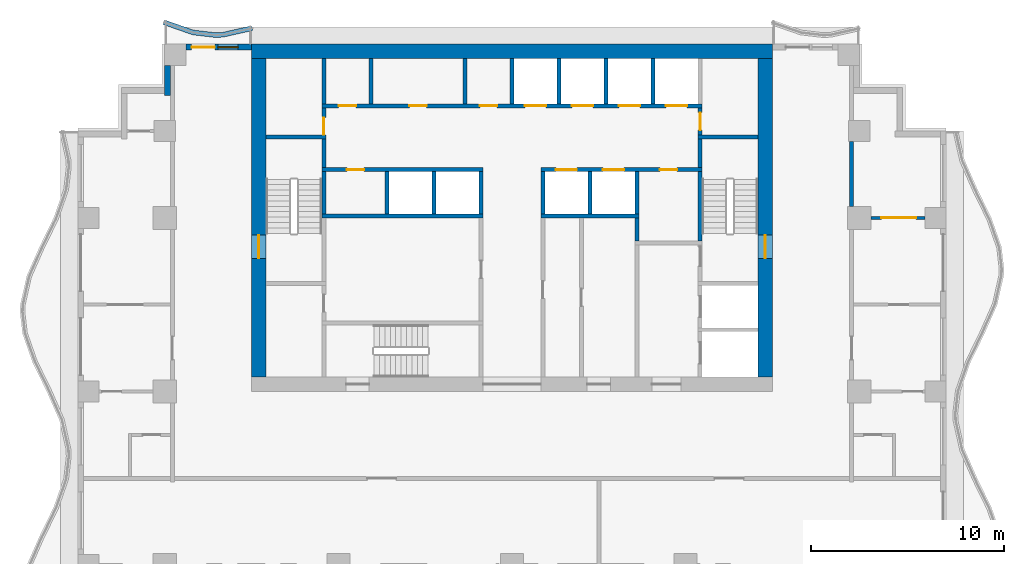
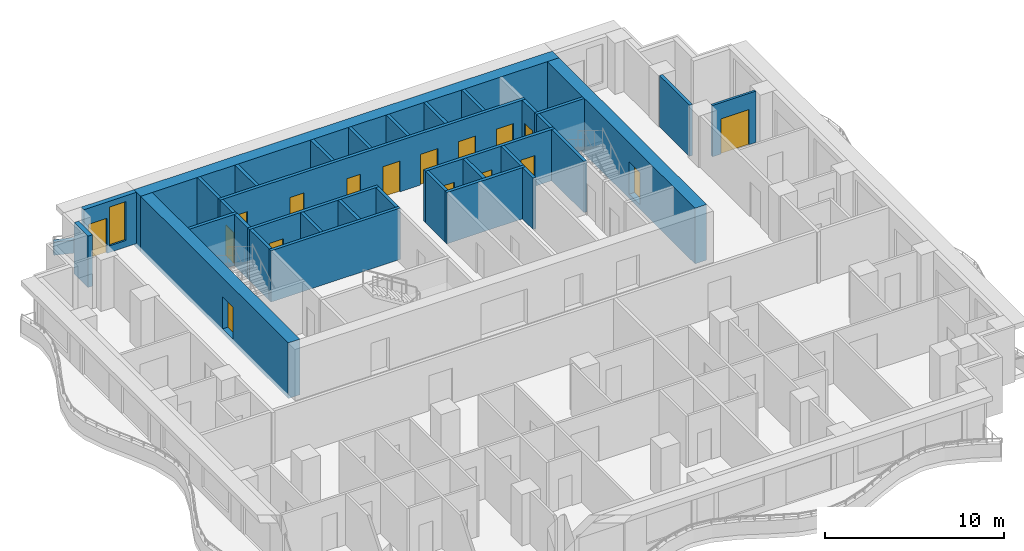
# One storey, part 5 of 10: 35 walls, 17 doors, 1 window, 18 openings.
"""IFC4 building model written with IfcOpenShell, lengths in metres."""

from ifc_helpers import new_model, si_unit, direction, frame, frame_2d, origin, place, context, subcontext, project, spatial, polyline, rectangle, outline, extrude, material, layer, layer_set, type_object, element, fill, save


model = new_model("IFC4")

# Units and contexts
model_context = context("Model", 3, precision=1e-05, world=origin(), true_north=direction((0.0, 1.0)))
body_context = subcontext(model_context, "Body", "Model", "MODEL_VIEW")
ifc_project = project(units=[si_unit("LENGTHUNIT", "METRE"), si_unit("AREAUNIT", "SQUARE_METRE"), si_unit("VOLUMEUNIT", "CUBIC_METRE"), si_unit("PLANEANGLEUNIT", "RADIAN"), si_unit("MASSUNIT", "GRAM", prefix="KILO")], contexts=[model_context])

# Site, building, storey
site_placement = place(None, origin())
site = spatial("IfcSite", under=ifc_project, at=site_placement, CompositionType="ELEMENT")
building_placement = place(site_placement, origin())
building = spatial("IfcBuilding", under=site, at=building_placement, Name="Orbiselva Terraces", CompositionType="ELEMENT")
storey_placement = place(building_placement, frame((0.0, 0.0, 163.0)))
storey = spatial("IfcBuildingStorey", under=building, at=storey_placement, Name="L41", CompositionType="ELEMENT", Elevation=163.0)

# Wall, opening, door
ifc_material_1 = material(Name="Concrete C80/95", Category="concrete")
ifc_layer_1 = layer(ifc_material_1, 0.75)
ifc_layer_set_1 = layer_set([ifc_layer_1], Name="Concrete C80/95")
wall_type_1 = type_object("IfcWallType", Name="CORE WALL 750", PredefinedType="SHEAR", material=ifc_layer_set_1)
wall_1_placement = place(storey_placement, frame((13.125, 5.25, -0.3), z_axis=(0.0, 0.0, 1.0), x_axis=(0.0, 1.0, 0.0)))
wall_1 = element("IfcWall", 1, at=wall_1_placement, inside=storey, type_object=wall_type_1, Name="Core wall L41 east", PredefinedType="SHEAR", context=body_context, shape_type="SweptSolid", body=[
    extrude(rectangle(XDim=16.5, YDim=0.75, at=frame_2d((8.25, 0.0))), origin(), (0.0, 0.0, 1.0), 3.8),
])
opening_1_placement = place(wall_1_placement, frame((6.15, 0.0, 0.3)))
opening_1 = element("IfcOpeningElement", 2, at=opening_1_placement, cuts=wall_1, Name="Opening DS1200", PredefinedType="OPENING", context=body_context, shape_type="SweptSolid", body=[
    extrude(rectangle(XDim=1.2, YDim=2.2, at=frame_2d((0.6, 1.1))), frame((0.0, 0.385, 0.0), z_axis=(0.0, -1.0, 0.0), x_axis=(1.0, 0.0, 0.0)), (0.0, 0.0, 1.0), 0.77),
])
ifc_material_2 = material(Name="Steel fire door", Category="steel")
door_type_1 = type_object("IfcDoorType", Name="STAIR DOOR 1200", OperationType="NOTDEFINED", PredefinedType="DOOR", material=ifc_material_2)
door_1_placement = place(opening_1_placement, frame((1.2, 0.0, 0.0), z_axis=(0.0, 0.0, 1.0), x_axis=(-1.0, 0.0, 0.0)))
door_1 = element("IfcDoor", 3, at=door_1_placement, inside=storey, type_object=door_type_1, Name="L41 EXIT STAIR S2 door", OperationType="SINGLE_SWING_LEFT", OverallHeight=2.2, OverallWidth=1.2, PredefinedType="DOOR", context=body_context, shape_type="SweptSolid", body=[
    extrude(rectangle(XDim=1.2, YDim=2.2, at=frame_2d((0.6, 1.1))), frame((0.0, 0.025, 0.0), z_axis=(0.0, -1.0, 0.0), x_axis=(1.0, 0.0, 0.0)), (0.0, 0.0, 1.0), 0.05),
])
fill(opening_1, door_1)

wall_2_placement = place(storey_placement, frame((-13.125, 21.75, -0.3), z_axis=(0.0, 0.0, 1.0), x_axis=(0.0, -1.0, 0.0)))
wall_2 = element("IfcWall", 4, at=wall_2_placement, inside=storey, type_object=wall_type_1, Name="Core wall L41 west", PredefinedType="SHEAR", context=body_context, shape_type="SweptSolid", body=[
    extrude(rectangle(XDim=16.5, YDim=0.75, at=frame_2d((8.25, 0.0))), origin(), (0.0, 0.0, 1.0), 3.8),
])
opening_2_placement = place(wall_2_placement, frame((9.15, 0.0, 0.3)))
opening_2 = element("IfcOpeningElement", 5, at=opening_2_placement, cuts=wall_2, Name="Opening DS1200", PredefinedType="OPENING", context=body_context, shape_type="SweptSolid", body=[
    extrude(rectangle(XDim=1.2, YDim=2.2, at=frame_2d((0.6, 1.1))), frame((0.0, 0.385, 0.0), z_axis=(0.0, -1.0, 0.0), x_axis=(1.0, 0.0, 0.0)), (0.0, 0.0, 1.0), 0.77),
])
door_2_placement = place(opening_2_placement, frame((1.2, 0.0, 0.0), z_axis=(0.0, 0.0, 1.0), x_axis=(-1.0, 0.0, 0.0)))
door_2 = element("IfcDoor", 6, at=door_2_placement, inside=storey, type_object=door_type_1, Name="L41 EXIT STAIR S1 door", OperationType="SINGLE_SWING_RIGHT", OverallHeight=2.2, OverallWidth=1.2, PredefinedType="DOOR", context=body_context, shape_type="SweptSolid", body=[
    extrude(rectangle(XDim=1.2, YDim=2.2, at=frame_2d((0.6, 1.1))), frame((0.0, 0.025, 0.0), z_axis=(0.0, -1.0, 0.0), x_axis=(1.0, 0.0, 0.0)), (0.0, 0.0, 1.0), 0.05),
])
fill(opening_2, door_2)

# Wall
ifc_layer_2 = layer(ifc_material_1, 0.75)
ifc_layer_set_2 = layer_set([ifc_layer_2], Name="Concrete C80/95")
wall_type_2 = type_object("IfcWallType", Name="CORE WALL 750 EXTERNAL", PredefinedType="SHEAR", material=ifc_layer_set_2)
wall_3_placement = place(storey_placement, frame((13.5, 22.125, -0.3), z_axis=(0.0, 0.0, 1.0), x_axis=(-1.0, 0.0, 0.0)))
element("IfcWall", 7, at=wall_3_placement, inside=storey, type_object=wall_type_2, Name="Core wall L41 north", PredefinedType="SHEAR", context=body_context, shape_type="SweptSolid", body=[
    extrude(rectangle(XDim=27.0, YDim=0.75, at=frame_2d((13.5, 0.0))), origin(), (0.0, 0.0, 1.0), 3.8),
])

# Wall, opening, door
ifc_material_3 = material(Name="Masonry blockwork", Category="masonry")
ifc_layer_3 = layer(ifc_material_3, 0.2)
ifc_layer_set_3 = layer_set([ifc_layer_3], Name="Masonry blockwork")
wall_type_3 = type_object("IfcWallType", Name="CORE-WALL-PARTITION-200", PredefinedType="PARTITIONING", material=ifc_layer_set_3)
wall_4_placement = place(storey_placement, frame((-9.75, 17.8, 0.0), z_axis=(0.0, 0.0, 1.0), x_axis=(0.0, 1.0, 0.0)))
wall_4 = element("IfcWall", 8, at=wall_4_placement, inside=storey, type_object=wall_type_3, Name="L41 core wall 11", PredefinedType="PARTITIONING", context=body_context, shape_type="SweptSolid", body=[
    extrude(rectangle(XDim=1.4, YDim=0.2, at=frame_2d((0.7, 0.0))), origin(), (0.0, 0.0, 1.0), 3.5),
])
opening_3_placement = place(wall_4_placement, origin())
opening_3 = element("IfcOpeningElement", 9, at=opening_3_placement, cuts=wall_4, Name="Opening DR900", PredefinedType="OPENING", context=body_context, shape_type="SweptSolid", body=[
    extrude(rectangle(XDim=0.9, YDim=2.1, at=frame_2d((0.45, 1.05))), frame((0.0, 0.11, 0.0), z_axis=(0.0, -1.0, 0.0), x_axis=(1.0, 0.0, 0.0)), (0.0, 0.0, 1.0), 0.22),
])
door_type_2 = type_object("IfcDoorType", Name="ROOM DOOR 900", OperationType="NOTDEFINED", PredefinedType="DOOR", material=ifc_material_2)
door_3_placement = place(opening_3_placement, origin())
door_3 = element("IfcDoor", 10, at=door_3_placement, inside=storey, type_object=door_type_2, Name="L41 COMMS RISER ROOM door", OperationType="SINGLE_SWING_LEFT", OverallHeight=2.1, OverallWidth=0.9, PredefinedType="DOOR", context=body_context, shape_type="SweptSolid", body=[
    extrude(rectangle(XDim=0.9, YDim=2.1, at=frame_2d((0.45, 1.05))), frame((0.0, 0.025, 0.0), z_axis=(0.0, -1.0, 0.0), x_axis=(1.0, 0.0, 0.0)), (0.0, 0.0, 1.0), 0.05),
])
fill(opening_3, door_3)

# Walls
for number, where, z_axis, x_axis, name in (
    (11, (-9.75, 19.4, 0.0), (0.0, 0.0, 1.0), (0.0, 1.0, 0.0), "L41 core wall 13"),
    (12, (-7.3125, 19.4, 0.0), (0.0, 0.0, 1.0), (0.0, 1.0, 0.0), "L41 core wall 14"),
    (13, (-2.4375, 19.4, 0.0), (0.0, 0.0, 1.0), (0.0, 1.0, 0.0), "L41 core wall 17"),
):
    element("IfcWall", number, at=place(storey_placement, frame(where, z_axis=z_axis, x_axis=x_axis)), inside=storey, type_object=wall_type_3, Name=name, PredefinedType="PARTITIONING", context=body_context, shape_type="SweptSolid", body=[
        extrude(rectangle(XDim=2.35, YDim=0.2, at=frame_2d((1.175, 0.0))), origin(), (0.0, 0.0, 1.0), 3.5),
    ])
wall_5_placement = place(storey_placement, frame((6.475, 12.3, 0.0), z_axis=(0.0, 0.0, 1.0), x_axis=(0.0, 1.0, 0.0)))
element("IfcWall", 14, at=wall_5_placement, inside=storey, type_object=wall_type_3, Name="L41 core wall 32", PredefinedType="PARTITIONING", context=body_context, shape_type="SweptSolid", body=[
    extrude(rectangle(XDim=1.2, YDim=0.2, at=frame_2d((0.6, 0.0))), origin(), (0.0, 0.0, 1.0), 3.5),
])

# Wall, opening, door
wall_6_placement = place(storey_placement, frame((9.75, 19.2, 0.0), z_axis=(0.0, 0.0, 1.0), x_axis=(0.0, -1.0, 0.0)))
wall_6 = element("IfcWall", 15, at=wall_6_placement, inside=storey, type_object=wall_type_3, Name="L41 core wall 43", PredefinedType="PARTITIONING", context=body_context, shape_type="SweptSolid", body=[
    extrude(rectangle(XDim=1.4, YDim=0.2, at=frame_2d((0.7, 0.0))), origin(), (0.0, 0.0, 1.0), 3.5),
])
opening_4_placement = place(wall_6_placement, frame((0.25, 0.0, 0.0)))
opening_4 = element("IfcOpeningElement", 16, at=opening_4_placement, cuts=wall_6, Name="Opening DR900", PredefinedType="OPENING", context=body_context, shape_type="SweptSolid", body=[
    extrude(rectangle(XDim=0.9, YDim=2.1, at=frame_2d((0.45, 1.05))), frame((0.0, 0.11, 0.0), z_axis=(0.0, -1.0, 0.0), x_axis=(1.0, 0.0, 0.0)), (0.0, 0.0, 1.0), 0.22),
])
door_4_placement = place(opening_4_placement, origin())
door_4 = element("IfcDoor", 17, at=door_4_placement, inside=storey, type_object=door_type_2, Name="L41 ELECTRICAL RISER ROOM door", OperationType="SINGLE_SWING_RIGHT", OverallHeight=2.1, OverallWidth=0.9, PredefinedType="DOOR", context=body_context, shape_type="SweptSolid", body=[
    extrude(rectangle(XDim=0.9, YDim=2.1, at=frame_2d((0.45, 1.05))), frame((0.0, 0.025, 0.0), z_axis=(0.0, -1.0, 0.0), x_axis=(1.0, 0.0, 0.0)), (0.0, 0.0, 1.0), 0.05),
])
fill(opening_4, door_4)

# Walls
ifc_material_4 = material(Name="Concrete C40/50", Category="concrete")
ifc_layer_4 = layer(ifc_material_4, 0.2)
ifc_layer_set_4 = layer_set([ifc_layer_4], Name="Concrete C40/50")
wall_type_4 = type_object("IfcWallType", Name="CORE-WALL-SHAFT-200", PredefinedType="PARTITIONING", material=ifc_layer_set_4)
for number, where, z_axis, x_axis, name in (
    (18, (-6.475, 13.7, 0.0), (0.0, 0.0, 1.0), (0.0, 1.0, 0.0), "L41 core wall 15"),
    (19, (-4.0375, 13.7, 0.0), (0.0, 0.0, 1.0), (0.0, 1.0, 0.0), "L41 core wall 16"),
    (20, (-1.6, 13.7, 0.0), (0.0, 0.0, 1.0), (0.0, 1.0, 0.0), "L41 core wall 20"),
):
    element("IfcWall", number, at=place(storey_placement, frame(where, z_axis=z_axis, x_axis=x_axis)), inside=storey, type_object=wall_type_4, Name=name, PredefinedType="PARTITIONING", context=body_context, shape_type="SweptSolid", body=[
        extrude(rectangle(XDim=2.2, YDim=0.2, at=frame_2d((1.1, 0.0))), origin(), (0.0, 0.0, 1.0), 3.5),
    ])
wall_7_placement = place(storey_placement, frame((0.0, 19.4, 0.0), z_axis=(0.0, 0.0, 1.0), x_axis=(0.0, 1.0, 0.0)))
element("IfcWall", 21, at=wall_7_placement, inside=storey, type_object=wall_type_4, Name="L41 core wall 21", PredefinedType="PARTITIONING", context=body_context, shape_type="SweptSolid", body=[
    extrude(rectangle(XDim=2.35, YDim=0.2, at=frame_2d((1.175, 0.0))), origin(), (0.0, 0.0, 1.0), 3.5),
])
wall_8_placement = place(storey_placement, frame((1.6, 13.7, 0.0), z_axis=(0.0, 0.0, 1.0), x_axis=(0.0, 1.0, 0.0)))
element("IfcWall", 22, at=wall_8_placement, inside=storey, type_object=wall_type_4, Name="L41 core wall 24", PredefinedType="PARTITIONING", context=body_context, shape_type="SweptSolid", body=[
    extrude(rectangle(XDim=2.2, YDim=0.2, at=frame_2d((1.1, 0.0))), origin(), (0.0, 0.0, 1.0), 3.5),
])
wall_9_placement = place(storey_placement, frame((2.4375, 19.4, 0.0), z_axis=(0.0, 0.0, 1.0), x_axis=(0.0, 1.0, 0.0)))
element("IfcWall", 23, at=wall_9_placement, inside=storey, type_object=wall_type_4, Name="L41 core wall 26", PredefinedType="PARTITIONING", context=body_context, shape_type="SweptSolid", body=[
    extrude(rectangle(XDim=2.35, YDim=0.2, at=frame_2d((1.175, 0.0))), origin(), (0.0, 0.0, 1.0), 3.5),
])
wall_10_placement = place(storey_placement, frame((4.0375, 13.7, 0.0), z_axis=(0.0, 0.0, 1.0), x_axis=(0.0, 1.0, 0.0)))
element("IfcWall", 24, at=wall_10_placement, inside=storey, type_object=wall_type_4, Name="L41 core wall 28", PredefinedType="PARTITIONING", context=body_context, shape_type="SweptSolid", body=[
    extrude(rectangle(XDim=2.2, YDim=0.2, at=frame_2d((1.1, 0.0))), origin(), (0.0, 0.0, 1.0), 3.5),
])
wall_11_placement = place(storey_placement, frame((4.875, 19.4, 0.0), z_axis=(0.0, 0.0, 1.0), x_axis=(0.0, 1.0, 0.0)))
element("IfcWall", 25, at=wall_11_placement, inside=storey, type_object=wall_type_4, Name="L41 core wall 29", PredefinedType="PARTITIONING", context=body_context, shape_type="SweptSolid", body=[
    extrude(rectangle(XDim=2.35, YDim=0.2, at=frame_2d((1.175, 0.0))), origin(), (0.0, 0.0, 1.0), 3.5),
])
wall_12_placement = place(storey_placement, frame((6.475, 13.7, 0.0), z_axis=(0.0, 0.0, 1.0), x_axis=(0.0, 1.0, 0.0)))
element("IfcWall", 26, at=wall_12_placement, inside=storey, type_object=wall_type_4, Name="L41 core wall 33", PredefinedType="PARTITIONING", context=body_context, shape_type="SweptSolid", body=[
    extrude(rectangle(XDim=2.2, YDim=0.2, at=frame_2d((1.1, 0.0))), origin(), (0.0, 0.0, 1.0), 3.5),
])
wall_13_placement = place(storey_placement, frame((7.3125, 19.4, 0.0), z_axis=(0.0, 0.0, 1.0), x_axis=(0.0, 1.0, 0.0)))
element("IfcWall", 27, at=wall_13_placement, inside=storey, type_object=wall_type_4, Name="L41 core wall 34", PredefinedType="PARTITIONING", context=body_context, shape_type="SweptSolid", body=[
    extrude(rectangle(XDim=2.35, YDim=0.2, at=frame_2d((1.175, 0.0))), origin(), (0.0, 0.0, 1.0), 3.5),
])
ifc_material_5 = material(Name="Concrete C60/75", Category="concrete")
ifc_layer_5 = layer(ifc_material_5, 0.2)
ifc_layer_set_5 = layer_set([ifc_layer_5], Name="Concrete C60/75")
wall_type_5 = type_object("IfcWallType", Name="CORE-WALL-SHEAR-200", PredefinedType="SHEAR", material=ifc_layer_set_5)
wall_14_placement = place(storey_placement, frame((-12.75, 17.7, 0.0), z_axis=(0.0, 0.0, 1.0), x_axis=(1.0, 0.0, 0.0)))
element("IfcWall", 28, at=wall_14_placement, inside=storey, type_object=wall_type_5, Name="L41 core wall 02", PredefinedType="SHEAR", context=body_context, shape_type="SweptSolid", body=[
    extrude(rectangle(XDim=3.1, YDim=0.2, at=frame_2d((1.55, 0.0))), origin(), (0.0, 0.0, 1.0), 3.5),
])
wall_15_placement = place(storey_placement, frame((-9.85, 13.6, 0.0), z_axis=(0.0, 0.0, 1.0), x_axis=(1.0, 0.0, 0.0)))
element("IfcWall", 29, at=wall_15_placement, inside=storey, type_object=wall_type_5, Name="L41 core wall 07", PredefinedType="SHEAR", context=body_context, shape_type="SweptSolid", body=[
    extrude(rectangle(XDim=8.35, YDim=0.2, at=frame_2d((4.175, 0.0))), origin(), (0.0, 0.0, 1.0), 3.5),
])
wall_16_placement = place(storey_placement, frame((-9.75, 13.7, 0.0), z_axis=(0.0, 0.0, 1.0), x_axis=(0.0, 1.0, 0.0)))
element("IfcWall", 30, at=wall_16_placement, inside=storey, type_object=wall_type_5, Name="L41 core wall 08", PredefinedType="SHEAR", context=body_context, shape_type="SweptSolid", body=[
    extrude(rectangle(XDim=2.2, YDim=0.2, at=frame_2d((1.1, 0.0))), origin(), (0.0, 0.0, 1.0), 3.5),
])

# Wall, opening, door
wall_17_placement = place(storey_placement, frame((-1.5, 16.0, 0.0), z_axis=(0.0, 0.0, 1.0), x_axis=(-1.0, 0.0, 0.0)))
wall_17 = element("IfcWall", 31, at=wall_17_placement, inside=storey, type_object=wall_type_5, Name="L41 core wall 09", PredefinedType="SHEAR", context=body_context, shape_type="SweptSolid", body=[
    extrude(rectangle(XDim=8.35, YDim=0.2, at=frame_2d((4.175, 0.0))), origin(), (0.0, 0.0, 1.0), 3.5),
])
opening_5_placement = place(wall_17_placement, frame((6.1625, 0.0, 0.0)))
opening_5 = element("IfcOpeningElement", 32, at=opening_5_placement, cuts=wall_17, Name="Opening DR900", PredefinedType="OPENING", context=body_context, shape_type="SweptSolid", body=[
    extrude(rectangle(XDim=0.9, YDim=2.1, at=frame_2d((0.45, 1.05))), frame((0.0, 0.11, 0.0), z_axis=(0.0, -1.0, 0.0), x_axis=(1.0, 0.0, 0.0)), (0.0, 0.0, 1.0), 0.22),
])
door_5_placement = place(opening_5_placement, origin())
door_5 = element("IfcDoor", 33, at=door_5_placement, inside=storey, type_object=door_type_2, Name="L41 IT ROOM door", OperationType="SINGLE_SWING_RIGHT", OverallHeight=2.1, OverallWidth=0.9, PredefinedType="DOOR", context=body_context, shape_type="SweptSolid", body=[
    extrude(rectangle(XDim=0.9, YDim=2.1, at=frame_2d((0.45, 1.05))), frame((0.0, 0.025, 0.0), z_axis=(0.0, -1.0, 0.0), x_axis=(1.0, 0.0, 0.0)), (0.0, 0.0, 1.0), 0.05),
])
fill(opening_5, door_5)

# Wall
wall_18_placement = place(storey_placement, frame((-9.75, 16.1, 0.0), z_axis=(0.0, 0.0, 1.0), x_axis=(0.0, 1.0, 0.0)))
element("IfcWall", 34, at=wall_18_placement, inside=storey, type_object=wall_type_5, Name="L41 core wall 10", PredefinedType="SHEAR", context=body_context, shape_type="SweptSolid", body=[
    extrude(rectangle(XDim=1.5, YDim=0.2, at=frame_2d((0.75, 0.0))), origin(), (0.0, 0.0, 1.0), 3.5),
])

# Wall, openings, doors
wall_19_placement = place(storey_placement, frame((-9.85, 19.3, 0.0), z_axis=(0.0, 0.0, 1.0), x_axis=(1.0, 0.0, 0.0)))
wall_19 = element("IfcWall", 35, at=wall_19_placement, inside=storey, type_object=wall_type_5, Name="L41 core wall 12", PredefinedType="SHEAR", context=body_context, shape_type="SweptSolid", body=[
    extrude(rectangle(XDim=19.7, YDim=0.2, at=frame_2d((9.85, 0.0))), origin(), (0.0, 0.0, 1.0), 3.5),
])
opening_6_placement = place(wall_19_placement, frame((10.51875, 0.0, 0.0)))
opening_6 = element("IfcOpeningElement", 36, at=opening_6_placement, cuts=wall_19, Name="Opening LD-HR1", PredefinedType="OPENING", context=body_context, shape_type="SweptSolid", body=[
    extrude(rectangle(XDim=1.1, YDim=2.1, at=frame_2d((0.55, 1.05))), frame((0.0, 0.11, 0.0), z_axis=(0.0, -1.0, 0.0), x_axis=(1.0, 0.0, 0.0)), (0.0, 0.0, 1.0), 0.22),
])
opening_7_placement = place(wall_19_placement, frame((12.95625, 0.0, 0.0)))
opening_7 = element("IfcOpeningElement", 37, at=opening_7_placement, cuts=wall_19, Name="Opening LD-HR2", PredefinedType="OPENING", context=body_context, shape_type="SweptSolid", body=[
    extrude(rectangle(XDim=1.1, YDim=2.1, at=frame_2d((0.55, 1.05))), frame((0.0, 0.11, 0.0), z_axis=(0.0, -1.0, 0.0), x_axis=(1.0, 0.0, 0.0)), (0.0, 0.0, 1.0), 0.22),
])
opening_8_placement = place(wall_19_placement, frame((15.39375, 0.0, 0.0)))
opening_8 = element("IfcOpeningElement", 38, at=opening_8_placement, cuts=wall_19, Name="Opening LD-HR3", PredefinedType="OPENING", context=body_context, shape_type="SweptSolid", body=[
    extrude(rectangle(XDim=1.1, YDim=2.1, at=frame_2d((0.55, 1.05))), frame((0.0, 0.11, 0.0), z_axis=(0.0, -1.0, 0.0), x_axis=(1.0, 0.0, 0.0)), (0.0, 0.0, 1.0), 0.22),
])
opening_9_placement = place(wall_19_placement, frame((17.83125, 0.0, 0.0)))
opening_9 = element("IfcOpeningElement", 39, at=opening_9_placement, cuts=wall_19, Name="Opening LD-HR4", PredefinedType="OPENING", context=body_context, shape_type="SweptSolid", body=[
    extrude(rectangle(XDim=1.1, YDim=2.1, at=frame_2d((0.55, 1.05))), frame((0.0, 0.11, 0.0), z_axis=(0.0, -1.0, 0.0), x_axis=(1.0, 0.0, 0.0)), (0.0, 0.0, 1.0), 0.22),
])
opening_10_placement = place(wall_19_placement, frame((0.8688, 0.0, 0.0)))
opening_10 = element("IfcOpeningElement", 40, at=opening_10_placement, cuts=wall_19, Name="Opening DR900", PredefinedType="OPENING", context=body_context, shape_type="SweptSolid", body=[
    extrude(rectangle(XDim=0.9, YDim=2.1, at=frame_2d((0.45, 1.05))), frame((0.0, 0.11, 0.0), z_axis=(0.0, -1.0, 0.0), x_axis=(1.0, 0.0, 0.0)), (0.0, 0.0, 1.0), 0.22),
])
opening_11_placement = place(wall_19_placement, frame((4.525, 0.0, 0.0)))
opening_11 = element("IfcOpeningElement", 41, at=opening_11_placement, cuts=wall_19, Name="Opening DR900", PredefinedType="OPENING", context=body_context, shape_type="SweptSolid", body=[
    extrude(rectangle(XDim=0.9, YDim=2.1, at=frame_2d((0.45, 1.05))), frame((0.0, 0.11, 0.0), z_axis=(0.0, -1.0, 0.0), x_axis=(1.0, 0.0, 0.0)), (0.0, 0.0, 1.0), 0.22),
])
opening_12_placement = place(wall_19_placement, frame((8.1812, 0.0, 0.0)))
opening_12 = element("IfcOpeningElement", 42, at=opening_12_placement, cuts=wall_19, Name="Opening DR900", PredefinedType="OPENING", context=body_context, shape_type="SweptSolid", body=[
    extrude(rectangle(XDim=0.9, YDim=2.1, at=frame_2d((0.45, 1.05))), frame((0.0, 0.11, 0.0), z_axis=(0.0, -1.0, 0.0), x_axis=(1.0, 0.0, 0.0)), (0.0, 0.0, 1.0), 0.22),
])
ifc_material_6 = material(Name="Stainless steel landing door", Category="steel")
door_type_3 = type_object("IfcDoorType", Name="LANDING DOOR 1100", OperationType="SLIDING_TO_LEFT", PredefinedType="DOOR", material=ifc_material_6)
door_6_placement = place(opening_6_placement, origin())
door_6 = element("IfcDoor", 43, at=door_6_placement, inside=storey, type_object=door_type_3, Name="L41 landing door HR1", OperationType="SLIDING_TO_RIGHT", OverallHeight=2.1, OverallWidth=1.1, PredefinedType="DOOR", context=body_context, shape_type="SweptSolid", body=[
    extrude(rectangle(XDim=1.1, YDim=2.1, at=frame_2d((0.55, 1.05))), frame((0.0, 0.025, 0.0), z_axis=(0.0, -1.0, 0.0), x_axis=(1.0, 0.0, 0.0)), (0.0, 0.0, 1.0), 0.05),
])
fill(opening_6, door_6)
door_7_placement = place(opening_7_placement, origin())
door_7 = element("IfcDoor", 44, at=door_7_placement, inside=storey, type_object=door_type_3, Name="L41 landing door HR2", OperationType="SLIDING_TO_RIGHT", OverallHeight=2.1, OverallWidth=1.1, PredefinedType="DOOR", context=body_context, shape_type="SweptSolid", body=[
    extrude(rectangle(XDim=1.1, YDim=2.1, at=frame_2d((0.55, 1.05))), frame((0.0, 0.025, 0.0), z_axis=(0.0, -1.0, 0.0), x_axis=(1.0, 0.0, 0.0)), (0.0, 0.0, 1.0), 0.05),
])
fill(opening_7, door_7)
door_8_placement = place(opening_8_placement, origin())
door_8 = element("IfcDoor", 45, at=door_8_placement, inside=storey, type_object=door_type_3, Name="L41 landing door HR3", OperationType="SLIDING_TO_RIGHT", OverallHeight=2.1, OverallWidth=1.1, PredefinedType="DOOR", context=body_context, shape_type="SweptSolid", body=[
    extrude(rectangle(XDim=1.1, YDim=2.1, at=frame_2d((0.55, 1.05))), frame((0.0, 0.025, 0.0), z_axis=(0.0, -1.0, 0.0), x_axis=(1.0, 0.0, 0.0)), (0.0, 0.0, 1.0), 0.05),
])
fill(opening_8, door_8)
door_9_placement = place(opening_9_placement, origin())
door_9 = element("IfcDoor", 46, at=door_9_placement, inside=storey, type_object=door_type_3, Name="L41 landing door HR4", OperationType="SLIDING_TO_RIGHT", OverallHeight=2.1, OverallWidth=1.1, PredefinedType="DOOR", context=body_context, shape_type="SweptSolid", body=[
    extrude(rectangle(XDim=1.1, YDim=2.1, at=frame_2d((0.55, 1.05))), frame((0.0, 0.025, 0.0), z_axis=(0.0, -1.0, 0.0), x_axis=(1.0, 0.0, 0.0)), (0.0, 0.0, 1.0), 0.05),
])
fill(opening_9, door_9)
door_10_placement = place(opening_10_placement, origin())
door_10 = element("IfcDoor", 47, at=door_10_placement, inside=storey, type_object=door_type_2, Name="L41 STORE door", OperationType="SINGLE_SWING_LEFT", OverallHeight=2.1, OverallWidth=0.9, PredefinedType="DOOR", context=body_context, shape_type="SweptSolid", body=[
    extrude(rectangle(XDim=0.9, YDim=2.1, at=frame_2d((0.45, 1.05))), frame((0.0, 0.025, 0.0), z_axis=(0.0, -1.0, 0.0), x_axis=(1.0, 0.0, 0.0)), (0.0, 0.0, 1.0), 0.05),
])
fill(opening_10, door_10)
door_11_placement = place(opening_11_placement, origin())
door_11 = element("IfcDoor", 48, at=door_11_placement, inside=storey, type_object=door_type_2, Name="L41 IT ROOM door", OperationType="SINGLE_SWING_LEFT", OverallHeight=2.1, OverallWidth=0.9, PredefinedType="DOOR", context=body_context, shape_type="SweptSolid", body=[
    extrude(rectangle(XDim=0.9, YDim=2.1, at=frame_2d((0.45, 1.05))), frame((0.0, 0.025, 0.0), z_axis=(0.0, -1.0, 0.0), x_axis=(1.0, 0.0, 0.0)), (0.0, 0.0, 1.0), 0.05),
])
fill(opening_11, door_11)
door_12_placement = place(opening_12_placement, origin())
door_12 = element("IfcDoor", 49, at=door_12_placement, inside=storey, type_object=door_type_2, Name="L41 CLEANERS STORE door", OperationType="SINGLE_SWING_LEFT", OverallHeight=2.1, OverallWidth=0.9, PredefinedType="DOOR", context=body_context, shape_type="SweptSolid", body=[
    extrude(rectangle(XDim=0.9, YDim=2.1, at=frame_2d((0.45, 1.05))), frame((0.0, 0.025, 0.0), z_axis=(0.0, -1.0, 0.0), x_axis=(1.0, 0.0, 0.0)), (0.0, 0.0, 1.0), 0.05),
])
fill(opening_12, door_12)

# Wall
wall_20_placement = place(storey_placement, frame((1.5, 13.6, 0.0), z_axis=(0.0, 0.0, 1.0), x_axis=(1.0, 0.0, 0.0)))
element("IfcWall", 50, at=wall_20_placement, inside=storey, type_object=wall_type_5, Name="L41 core wall 23", PredefinedType="SHEAR", context=body_context, shape_type="SweptSolid", body=[
    extrude(rectangle(XDim=5.075, YDim=0.2, at=frame_2d((2.5375, 0.0))), origin(), (0.0, 0.0, 1.0), 3.5),
])

# Wall, openings, doors
wall_21_placement = place(storey_placement, frame((9.85, 16.0, 0.0), z_axis=(0.0, 0.0, 1.0), x_axis=(-1.0, 0.0, 0.0)))
wall_21 = element("IfcWall", 51, at=wall_21_placement, inside=storey, type_object=wall_type_5, Name="L41 core wall 25", PredefinedType="SHEAR", context=body_context, shape_type="SweptSolid", body=[
    extrude(rectangle(XDim=8.35, YDim=0.2, at=frame_2d((4.175, 0.0))), origin(), (0.0, 0.0, 1.0), 3.5),
])
opening_13_placement = place(wall_21_placement, frame((6.48125, 0.0, 0.0)))
opening_13 = element("IfcOpeningElement", 52, at=opening_13_placement, cuts=wall_21, Name="Opening LD-HR5", PredefinedType="OPENING", context=body_context, shape_type="SweptSolid", body=[
    extrude(rectangle(XDim=1.1, YDim=2.1, at=frame_2d((0.55, 1.05))), frame((0.0, 0.11, 0.0), z_axis=(0.0, -1.0, 0.0), x_axis=(1.0, 0.0, 0.0)), (0.0, 0.0, 1.0), 0.22),
])
opening_14_placement = place(wall_21_placement, frame((4.04375, 0.0, 0.0)))
opening_14 = element("IfcOpeningElement", 53, at=opening_14_placement, cuts=wall_21, Name="Opening LD-HR6", PredefinedType="OPENING", context=body_context, shape_type="SweptSolid", body=[
    extrude(rectangle(XDim=1.1, YDim=2.1, at=frame_2d((0.55, 1.05))), frame((0.0, 0.11, 0.0), z_axis=(0.0, -1.0, 0.0), x_axis=(1.0, 0.0, 0.0)), (0.0, 0.0, 1.0), 0.22),
])
opening_15_placement = place(wall_21_placement, frame((1.2875, 0.0, 0.0)))
opening_15 = element("IfcOpeningElement", 54, at=opening_15_placement, cuts=wall_21, Name="Opening DR900", PredefinedType="OPENING", context=body_context, shape_type="SweptSolid", body=[
    extrude(rectangle(XDim=0.9, YDim=2.1, at=frame_2d((0.45, 1.05))), frame((0.0, 0.11, 0.0), z_axis=(0.0, -1.0, 0.0), x_axis=(1.0, 0.0, 0.0)), (0.0, 0.0, 1.0), 0.22),
])
door_13_placement = place(opening_13_placement, origin())
door_13 = element("IfcDoor", 55, at=door_13_placement, inside=storey, type_object=door_type_3, Name="L41 landing door HR5", OperationType="SLIDING_TO_RIGHT", OverallHeight=2.1, OverallWidth=1.1, PredefinedType="DOOR", context=body_context, shape_type="SweptSolid", body=[
    extrude(rectangle(XDim=1.1, YDim=2.1, at=frame_2d((0.55, 1.05))), frame((0.0, 0.025, 0.0), z_axis=(0.0, -1.0, 0.0), x_axis=(1.0, 0.0, 0.0)), (0.0, 0.0, 1.0), 0.05),
])
fill(opening_13, door_13)
door_14_placement = place(opening_14_placement, origin())
door_14 = element("IfcDoor", 56, at=door_14_placement, inside=storey, type_object=door_type_3, Name="L41 landing door HR6", OperationType="SLIDING_TO_RIGHT", OverallHeight=2.1, OverallWidth=1.1, PredefinedType="DOOR", context=body_context, shape_type="SweptSolid", body=[
    extrude(rectangle(XDim=1.1, YDim=2.1, at=frame_2d((0.55, 1.05))), frame((0.0, 0.025, 0.0), z_axis=(0.0, -1.0, 0.0), x_axis=(1.0, 0.0, 0.0)), (0.0, 0.0, 1.0), 0.05),
])
fill(opening_14, door_14)
door_15_placement = place(opening_15_placement, origin())
door_15 = element("IfcDoor", 57, at=door_15_placement, inside=storey, type_object=door_type_2, Name="L41 PIPE RISER ROOM door", OperationType="SINGLE_SWING_LEFT", OverallHeight=2.1, OverallWidth=0.9, PredefinedType="DOOR", context=body_context, shape_type="SweptSolid", body=[
    extrude(rectangle(XDim=0.9, YDim=2.1, at=frame_2d((0.45, 1.05))), frame((0.0, 0.025, 0.0), z_axis=(0.0, -1.0, 0.0), x_axis=(1.0, 0.0, 0.0)), (0.0, 0.0, 1.0), 0.05),
])
fill(opening_15, door_15)

# Walls
wall_22_placement = place(storey_placement, frame((9.75, 12.3, 0.0), z_axis=(0.0, 0.0, 1.0), x_axis=(0.0, 1.0, 0.0)))
element("IfcWall", 58, at=wall_22_placement, inside=storey, type_object=wall_type_5, Name="L41 core wall 40", PredefinedType="SHEAR", context=body_context, shape_type="SweptSolid", body=[
    extrude(rectangle(XDim=3.6, YDim=0.2, at=frame_2d((1.8, 0.0))), origin(), (0.0, 0.0, 1.0), 3.5),
])
wall_23_placement = place(storey_placement, frame((9.75, 16.1, 0.0), z_axis=(0.0, 0.0, 1.0), x_axis=(0.0, 1.0, 0.0)))
element("IfcWall", 59, at=wall_23_placement, inside=storey, type_object=wall_type_5, Name="L41 core wall 41", PredefinedType="SHEAR", context=body_context, shape_type="SweptSolid", body=[
    extrude(rectangle(XDim=1.5, YDim=0.2, at=frame_2d((0.75, 0.0))), origin(), (0.0, 0.0, 1.0), 3.5),
])
wall_24_placement = place(storey_placement, frame((9.65, 17.7, 0.0), z_axis=(0.0, 0.0, 1.0), x_axis=(1.0, 0.0, 0.0)))
element("IfcWall", 60, at=wall_24_placement, inside=storey, type_object=wall_type_5, Name="L41 core wall 42", PredefinedType="SHEAR", context=body_context, shape_type="SweptSolid", body=[
    extrude(rectangle(XDim=3.1, YDim=0.2, at=frame_2d((1.55, 0.0))), origin(), (0.0, 0.0, 1.0), 3.5),
])
ifc_layer_6 = layer(ifc_material_4, 0.25)
ifc_layer_set_6 = layer_set([ifc_layer_6], Name="Concrete C40/50")
wall_type_6 = type_object("IfcWallType", Name="ENV-PLANTER-250x900", PredefinedType="USERDEFINED", material=ifc_layer_set_6)
wall_25_placement = place(storey_placement, origin())
element("IfcWall", 61, at=wall_25_placement, inside=storey, type_object=wall_type_6, Name="Balcony planter L41 NW", ObjectType="PLANTER", PredefinedType="USERDEFINED", context=body_context, shape_type="SweptSolid", body=[
    extrude(outline(polyline([(-13.5, 23.451472), (-15.0, 23.114774), (-15.375, 23.1), (-16.5, 23.230792), (-18.0, 23.755211), (-18.082506, 23.519218), (-16.556371, 22.985662), (-15.384572, 22.849429), (-14.967435, 22.865863), (-13.445246, 23.207542), (-13.5, 23.451472)])), origin(), (0.0, 0.0, 1.0), 0.9),
])

# Wall, openings, door, window
ifc_material_7 = material(Name="Terracotta cladding on masonry backing", Category="masonry")
ifc_layer_7 = layer(ifc_material_7, 0.3)
ifc_layer_set_7 = layer_set([ifc_layer_7], Name="Terracotta cladding on masonry backing")
wall_type_7 = type_object("IfcWallType", Name="ENV-WALL-TERRACOTTA-300", PredefinedType="SOLIDWALL", material=ifc_layer_set_7)
wall_26_placement = place(storey_placement, frame((-16.9, 22.35, 0.0), z_axis=(0.0, 0.0, 1.0), x_axis=(1.0, 0.0, 0.0)))
wall_26 = element("IfcWall", 62, at=wall_26_placement, inside=storey, type_object=wall_type_7, Name="Facade wall L41 NW", PredefinedType="SOLIDWALL", context=body_context, shape_type="SweptSolid", body=[
    extrude(rectangle(XDim=3.4, YDim=0.3, at=frame_2d((1.7, 0.0))), origin(), (0.0, 0.0, 1.0), 3.5),
])
opening_16_placement = place(wall_26_placement, frame((1.65, 0.0, 0.45)))
opening_16 = element("IfcOpeningElement", 63, at=opening_16_placement, cuts=wall_26, Name="Opening WN13", PredefinedType="OPENING", context=body_context, shape_type="SweptSolid", body=[
    extrude(rectangle(XDim=1.05, YDim=2.65, at=frame_2d((0.525, 1.325))), frame((0.0, 0.16, 0.0), z_axis=(0.0, -1.0, 0.0), x_axis=(1.0, 0.0, 0.0)), (0.0, 0.0, 1.0), 0.32),
])
opening_17_placement = place(wall_26_placement, frame((0.3, 0.0, 0.0)))
opening_17 = element("IfcOpeningElement", 64, at=opening_17_placement, cuts=wall_26, Name="Opening Z3-D-E12", PredefinedType="OPENING", context=body_context, shape_type="SweptSolid", body=[
    extrude(rectangle(XDim=1.2, YDim=2.4, at=frame_2d((0.6, 1.2))), frame((0.0, 0.16, 0.0), z_axis=(0.0, -1.0, 0.0), x_axis=(1.0, 0.0, 0.0)), (0.0, 0.0, 1.0), 0.32),
])
ifc_material_8 = material(Name="Clear low-e glazing in aluminium frame", Category="aluminium")
door_type_4 = type_object("IfcDoorType", Name="BALCONY DOOR 1200 X 2400", OperationType="DOUBLE_DOOR_SLIDING", PredefinedType="DOOR", material=ifc_material_8)
door_16_placement = place(opening_17_placement, origin())
door_16 = element("IfcDoor", 65, at=door_16_placement, inside=storey, type_object=door_type_4, Name="Z3-D-E12", OperationType="SINGLE_SWING_LEFT", OverallHeight=2.4, OverallWidth=1.2, PredefinedType="DOOR", context=body_context, shape_type="SweptSolid", body=[
    extrude(rectangle(XDim=1.2, YDim=2.4, at=frame_2d((0.6, 1.2))), frame((0.0, 0.025, 0.0), z_axis=(0.0, -1.0, 0.0), x_axis=(1.0, 0.0, 0.0)), (0.0, 0.0, 1.0), 0.05),
])
fill(opening_17, door_16)
window_type = type_object("IfcWindowType", Name="WINDOW 1050 X 2650 S450", PartitioningType="TRIPLE_PANEL_VERTICAL", PredefinedType="WINDOW", material=ifc_material_8)
window_placement = place(opening_16_placement, origin())
window = element("IfcWindow", 66, at=window_placement, inside=storey, type_object=window_type, Name="Window L41 NW", OverallHeight=2.65, OverallWidth=1.05, PartitioningType="SINGLE_PANEL", PredefinedType="WINDOW", context=body_context, shape_type="SweptSolid", body=[
    extrude(rectangle(XDim=1.05, YDim=2.65, at=frame_2d((0.525, 1.325))), frame((0.0, 0.03, 0.0), z_axis=(0.0, -1.0, 0.0), x_axis=(1.0, 0.0, 0.0)), (0.0, 0.0, 1.0), 0.06),
])
fill(opening_16, window)

# Walls
wall_27_placement = place(storey_placement, frame((-17.85, 19.85, 0.0), z_axis=(0.0, 0.0, 1.0), x_axis=(0.0, 1.0, 0.0)))
element("IfcWall", 67, at=wall_27_placement, inside=storey, type_object=wall_type_7, Name="Facade wall L41 STEP", PredefinedType="SOLIDWALL", context=body_context, shape_type="SweptSolid", body=[
    extrude(rectangle(XDim=1.55, YDim=0.3, at=frame_2d((0.775, 0.0))), origin(), (0.0, 0.0, 1.0), 3.5),
])
ifc_material_9 = material(Name="Plasterboard on steel stud partition", Category="steel")
ifc_layer_8 = layer(ifc_material_9, 0.2)
ifc_layer_set_8 = layer_set([ifc_layer_8], Name="Plasterboard on steel stud partition")
wall_type_8 = type_object("IfcWallType", Name="UNIT-ENTRANCE-WALL-200", PredefinedType="PARTITIONING", material=ifc_layer_set_8)
wall_28_placement = place(storey_placement, frame((17.6, 14.1, 0.0), z_axis=(0.0, 0.0, 1.0), x_axis=(0.0, 1.0, 0.0)))
element("IfcWall", 68, at=wall_28_placement, inside=storey, type_object=wall_type_8, Name="PARTITION L41-062", PredefinedType="PARTITIONING", context=body_context, shape_type="SweptSolid", body=[
    extrude(rectangle(XDim=3.35, YDim=0.2, at=frame_2d((1.675, 0.0))), origin(), (0.0, 0.0, 1.0), 3.5),
])

# Wall, opening, door
ifc_layer_9 = layer(ifc_material_9, 0.15)
ifc_layer_set_9 = layer_set([ifc_layer_9], Name="Plasterboard on steel stud partition")
wall_type_9 = type_object("IfcWallType", Name="UNIT-PARTITION-150", PredefinedType="PARTITIONING", material=ifc_layer_set_9)
wall_29_placement = place(storey_placement, frame((18.6, 13.5, 0.0), z_axis=(0.0, 0.0, 1.0), x_axis=(1.0, 0.0, 0.0)))
wall_29 = element("IfcWall", 69, at=wall_29_placement, inside=storey, type_object=wall_type_9, Name="PARTITION L41-034", PredefinedType="PARTITIONING", context=body_context, shape_type="SweptSolid", body=[
    extrude(rectangle(XDim=2.8, YDim=0.15, at=frame_2d((1.4, 0.0))), origin(), (0.0, 0.0, 1.0), 3.5),
])
opening_18_placement = place(wall_29_placement, frame((0.55, 0.0, 0.0)))
opening_18 = element("IfcOpeningElement", 70, at=opening_18_placement, cuts=wall_29, Name="Opening Z3-D-10", PredefinedType="OPENING", context=body_context, shape_type="SweptSolid", body=[
    extrude(rectangle(XDim=1.8, YDim=2.4, at=frame_2d((0.9, 1.2))), frame((0.0, 0.085, 0.0), z_axis=(0.0, -1.0, 0.0), x_axis=(1.0, 0.0, 0.0)), (0.0, 0.0, 1.0), 0.17),
])
ifc_material_10 = material(Name="Painted timber door leaf", Category="wood")
door_type_5 = type_object("IfcDoorType", Name="DOUBLE DOOR 1800", OperationType="NOTDEFINED", PredefinedType="DOOR", material=ifc_material_10)
door_17_placement = place(opening_18_placement, origin())
door_17 = element("IfcDoor", 71, at=door_17_placement, inside=storey, type_object=door_type_5, Name="Z3-D-10", OperationType="DOUBLE_DOOR_SINGLE_SWING", OverallHeight=2.4, OverallWidth=1.8, PredefinedType="DOOR", context=body_context, shape_type="SweptSolid", body=[
    extrude(rectangle(XDim=1.8, YDim=2.4, at=frame_2d((0.9, 1.2))), frame((0.0, 0.025, 0.0), z_axis=(0.0, -1.0, 0.0), x_axis=(1.0, 0.0, 0.0)), (0.0, 0.0, 1.0), 0.05),
])
fill(opening_18, door_17)

save(model, "model.ifc")
